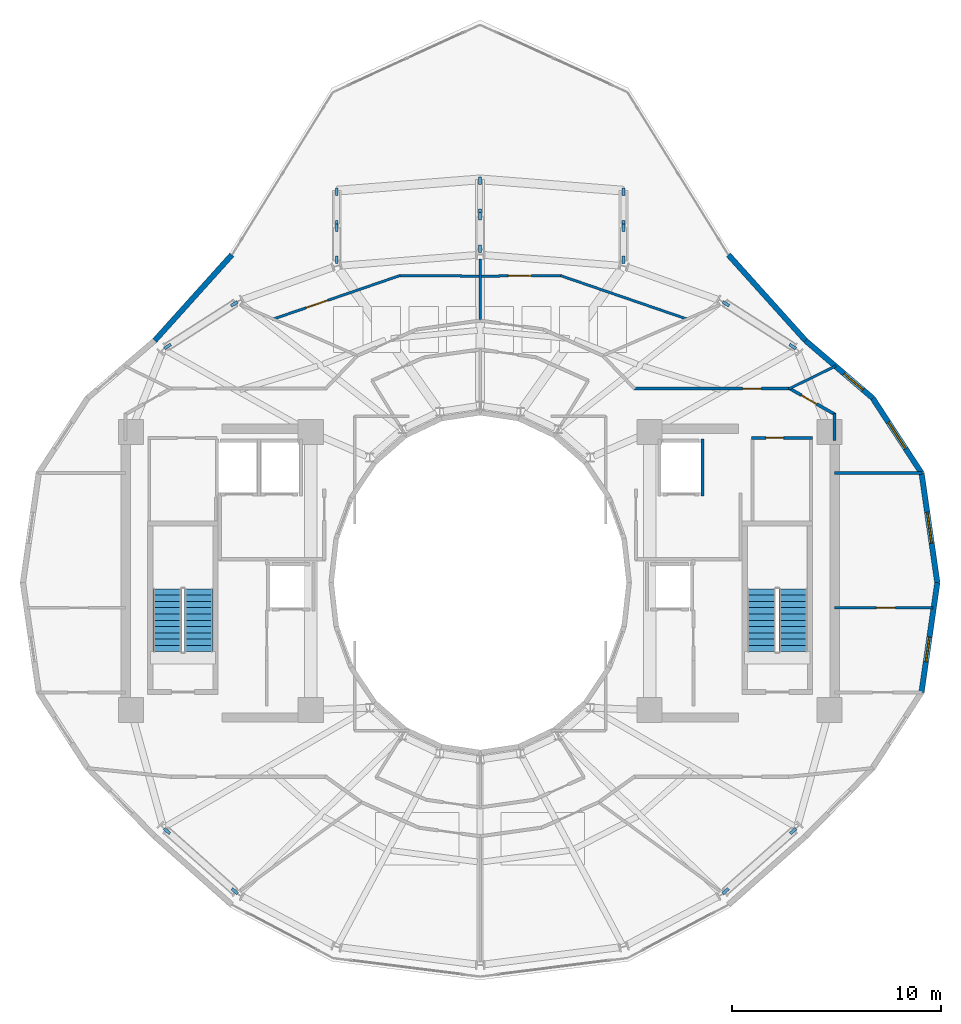
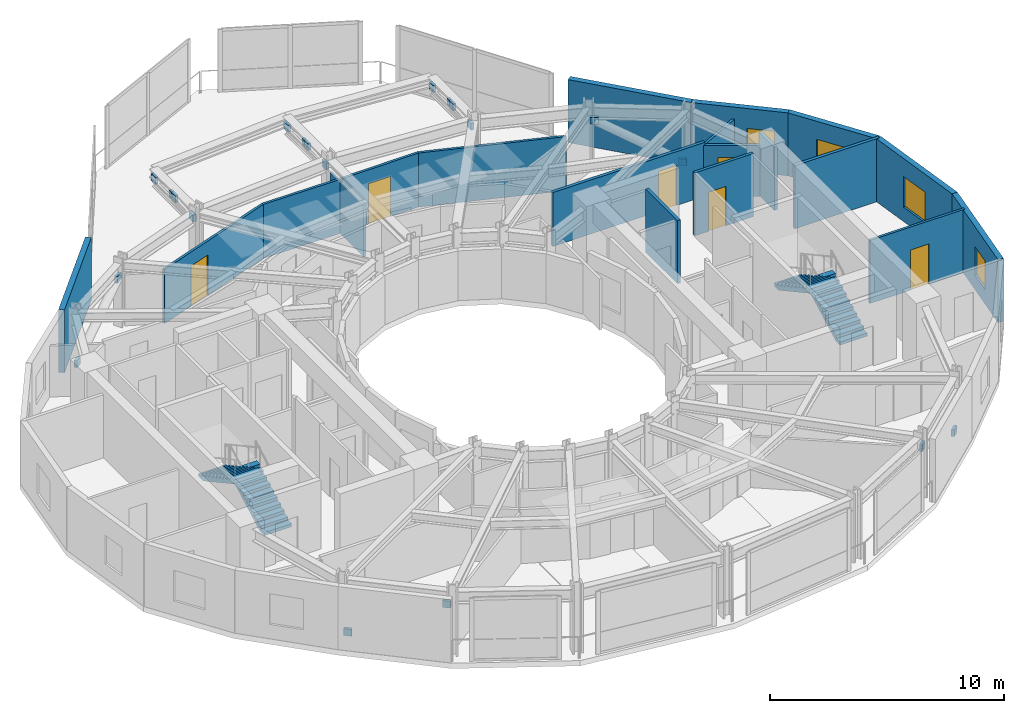
# One storey, part 16 of 19: 20 discrete accessories, 19 walls, 6 doors, 4 stair flights, 4 windows, 10 openings, 2 elements without a shape of their own.
"""IFC4 building model written with IfcOpenShell, lengths in metres."""

from ifc_helpers import new_model, si_unit, direction, frame, frame_2d, origin, origin_2d, place, context, subcontext, project, spatial, polyline, rectangle, outline, extrude, material, layer, layer_set, type_object, element, fill, aggregate, save


model = new_model("IFC4")

# Units and contexts
model_context = context("Model", 3, precision=1e-05, world=origin(), true_north=direction((0.0, 1.0)))
body_context = subcontext(model_context, "Body", "Model", "MODEL_VIEW")
ifc_project = project(units=[si_unit("LENGTHUNIT", "METRE"), si_unit("AREAUNIT", "SQUARE_METRE"), si_unit("VOLUMEUNIT", "CUBIC_METRE"), si_unit("PLANEANGLEUNIT", "RADIAN"), si_unit("MASSUNIT", "GRAM", prefix="KILO")], contexts=[model_context])

# Site, building, storey
site_placement = place(None, origin())
site = spatial("IfcSite", under=ifc_project, at=site_placement, CompositionType="ELEMENT")
building_placement = place(site_placement, origin())
building = spatial("IfcBuilding", under=site, at=building_placement, Name="Solvane Sanctuary Tower", CompositionType="ELEMENT")
storey_placement = place(building_placement, frame((0.0, 0.0, 242.39990234375)))
storey = spatial("IfcBuildingStorey", under=building, at=storey_placement, Name="L74", CompositionType="ELEMENT", Elevation=242.39990234375)

# Walls
ifc_material_1 = material(Name="Acoustic Gypsum Partition Board")
ifc_layer_1 = layer(ifc_material_1, 0.14990234375, Name="Acoustic Gypsum Partition Board")
ifc_layer_set_1 = layer_set([ifc_layer_1], Name="Acoustic Gypsum Partition Board")
wall_type_1 = type_object("IfcWallType", Name="Wall W-CORR-150", PredefinedType="PARTITIONING", material=ifc_layer_set_1)
wall_1_placement = place(storey_placement, frame((48.949951171875, 28.245361328125, 0.0), z_axis=(0.0, 0.0, 1.0), x_axis=(1.0, 0.0, 0.0)))
element("IfcWall", 1, at=wall_1_placement, inside=storey, type_object=wall_type_1, Name="L74 East Shoulder North Wall", PredefinedType="PARTITIONING", context=body_context, shape_type="SweptSolid", body=[
    extrude(rectangle(XDim=4.174560546875, YDim=0.14990234375, at=frame_2d((2.08740234375, 0.0))), origin(), (0.0, 0.0, 1.0), 3.295166015625),
])
wall_2_placement = place(storey_placement, frame((48.949951171875, 29.800048828125, 0.0), z_axis=(0.0, 0.0, 1.0), x_axis=(0.0, 1.0, 0.0)))
element("IfcWall", 2, at=wall_2_placement, inside=storey, type_object=wall_type_1, Name="L74 NE Corner Closer 1", PredefinedType="PARTITIONING", context=body_context, shape_type="SweptSolid", body=[
    extrude(rectangle(XDim=1.2900390625, YDim=0.14990234375, at=frame_2d((0.64501953125, 0.0))), origin(), (0.0, 0.0, 1.0), 3.295166015625),
])

# Wall, opening, door
wall_3_placement = place(storey_placement, frame((39.330078125, 32.280029296875, 0.0), z_axis=(0.0, 0.0, 1.0), x_axis=(1.0, 0.0, 0.0)))
wall_3 = element("IfcWall", 3, at=wall_3_placement, inside=storey, type_object=wall_type_1, Name="L74 NE Corner Corridor Wall", PredefinedType="PARTITIONING", context=body_context, shape_type="SweptSolid", body=[
    extrude(rectangle(XDim=7.52001953125, YDim=0.14990234375, at=frame_2d((3.760009765625, 0.0))), origin(), (0.0, 0.0, 1.0), 2.816162109375),
])
opening_1_placement = place(wall_3_placement, frame((5.219970703125, 0.0, 0.0)))
opening_1 = element("IfcOpeningElement", 4, at=opening_1_placement, cuts=wall_3, Name="Opening D-L74-17", PredefinedType="OPENING", context=body_context, shape_type="SweptSolid", body=[
    extrude(rectangle(XDim=0.89990234375, YDim=2.10009765625, at=frame_2d((0.449951171875, 1.050048828125))), frame((0.0, 0.0849609375, 0.0), z_axis=(0.0, -1.0, 0.0), x_axis=(1.0, 0.0, 0.0)), (0.0, 0.0, 1.0), 0.169921875),
])
ifc_material_2 = material(Name="Engineered Tropical Hardwood", Category="wood")
door_type_1 = type_object("IfcDoorType", Name="Door D-WET-900", OperationType="NOTDEFINED", PredefinedType="DOOR", material=ifc_material_2)
door_1_placement = place(opening_1_placement, origin())
door_1 = element("IfcDoor", 5, at=door_1_placement, inside=storey, type_object=door_type_1, Name="L74 NE Corner Salon Door", OperationType="SINGLE_SWING_RIGHT", OverallHeight=2.10009765625, OverallWidth=0.89990234375, PredefinedType="DOOR", context=body_context, shape_type="SweptSolid", body=[
    extrude(rectangle(XDim=0.89990234375, YDim=2.10009765625, at=frame_2d((0.449951171875, 1.050048828125))), frame((0.0, 0.02490234375, 0.0), z_axis=(0.0, -1.0, 0.0), x_axis=(1.0, 0.0, 0.0)), (0.0, 0.0, 1.0), 0.050048828125),
])
fill(opening_1, door_1)

wall_4_placement = place(storey_placement, frame((46.756591796875, 32.3046875, 0.0), z_axis=(0.0, 0.0, 1.0), x_axis=(0.867991349648, -0.496579315857, 0.0)))
wall_4 = element("IfcWall", 6, at=wall_4_placement, inside=storey, type_object=wall_type_1, Name="L74 NE Corner Wing Wall", PredefinedType="PARTITIONING", context=body_context, shape_type="SweptSolid", body=[
    extrude(rectangle(XDim=2.56689453125, YDim=0.14990234375, at=frame_2d((1.283447265625, 0.0))), origin(), (0.0, 0.0, 1.0), 2.66015625),
])
opening_2_placement = place(wall_4_placement, frame((0.68798828125, 0.0, 0.0)))
opening_2 = element("IfcOpeningElement", 7, at=opening_2_placement, cuts=wall_4, Name="Opening D-L74-18", PredefinedType="OPENING", context=body_context, shape_type="SweptSolid", body=[
    extrude(rectangle(XDim=0.85009765625, YDim=2.050048828125, at=frame_2d((0.425048828125, 1.02490234375))), frame((0.0, 0.0849609375, 0.0), z_axis=(0.0, -1.0, 0.0), x_axis=(1.0, 0.0, 0.0)), (0.0, 0.0, 1.0), 0.169921875),
])
ifc_material_3 = material(Name="Architectural Stainless Steel 316", Category="steel")
door_type_2 = type_object("IfcDoorType", Name="Door D-RISER", OperationType="NOTDEFINED", PredefinedType="DOOR", material=ifc_material_3)
door_2_placement = place(opening_2_placement, origin())
door_2 = element("IfcDoor", 8, at=door_2_placement, inside=storey, type_object=door_type_2, Name="L74 NE Corner Suite Door", OperationType="SINGLE_SWING_LEFT", OverallHeight=2.050048828125, OverallWidth=0.85009765625, PredefinedType="DOOR", context=body_context, shape_type="SweptSolid", body=[
    extrude(rectangle(XDim=0.85009765625, YDim=2.050048828125, at=frame_2d((0.425048828125, 1.02490234375))), frame((0.0, 0.02490234375, 0.0), z_axis=(0.0, -1.0, 0.0), x_axis=(1.0, 0.0, 0.0)), (0.0, 0.0, 1.0), 0.050048828125),
])
fill(opening_2, door_2)

# Wall, opening, window
ifc_material_4 = material(Name="Precast concrete C40/50", Category="concrete")
ifc_layer_2 = layer(ifc_material_4, 0.260009765625, Name="Precast concrete C40/50")
ifc_layer_set_2 = layer_set([ifc_layer_2], Name="Precast concrete C40/50")
wall_type_2 = type_object("IfcWallType", Name="Wall W-EXT-250", PredefinedType="STANDARD", material=ifc_layer_set_2)
wall_5_placement = place(storey_placement, frame((53.860107421875, 23.0, 0.0), z_axis=(0.0, 0.0, 1.0), x_axis=(-0.142712754019, 0.989764148593, 0.0)))
wall_5 = element("IfcWall", 9, at=wall_5_placement, inside=storey, type_object=wall_type_2, Name="L74 Ceramic-Printed Facade Wall 00", PredefinedType="STANDARD", context=body_context, shape_type="SweptSolid", body=[
    extrude(rectangle(XDim=5.29296875, YDim=0.260009765625, at=frame_2d((2.646484375, 0.0))), origin(), (0.0, 0.0, 1.0), 3.2900390625),
])
opening_3_placement = place(wall_5_placement, frame((1.896484375, 0.0, 0.75)))
opening_3 = element("IfcOpeningElement", 10, at=opening_3_placement, cuts=wall_5, Name="Opening WN-OPER-1500", PredefinedType="OPENING", context=body_context, shape_type="SweptSolid", body=[
    extrude(rectangle(XDim=1.5, YDim=1.60009765625, at=frame_2d((0.75, 0.800048828125))), frame((0.0, 0.139892578125, 0.0), z_axis=(0.0, -1.0, 0.0), x_axis=(1.0, 0.0, 0.0)), (0.0, 0.0, 1.0), 0.280029296875),
])
ifc_material_5 = material(Name="Dark Ceramic-Fritted Low-E Glass", Category="glass")
window_type_1 = type_object("IfcWindowType", Name="Window WN-OPER-1500", PartitioningType="SINGLE_PANEL", PredefinedType="WINDOW", material=ifc_material_5)
window_1_placement = place(opening_3_placement, origin())
window_1 = element("IfcWindow", 11, at=window_1_placement, inside=storey, type_object=window_type_1, Name="L74 Operable Facade Window 00", OverallHeight=1.60009765625, OverallWidth=1.5, PartitioningType="SINGLE_PANEL", PredefinedType="WINDOW", context=body_context, shape_type="SweptSolid", body=[
    extrude(rectangle(XDim=1.5, YDim=1.60009765625, at=frame_2d((0.75, 0.800048828125))), frame((0.0, 0.030029296875, 0.0), z_axis=(0.0, -1.0, 0.0), x_axis=(1.0, 0.0, 0.0)), (0.0, 0.0, 1.0), 0.06005859375),
])
fill(opening_3, window_1)

wall_6_placement = place(storey_placement, frame((53.104736328125, 28.23876953125, 0.0), z_axis=(0.0, 0.0, 1.0), x_axis=(-0.546606419826, 0.837389647539, 0.0)))
wall_6 = element("IfcWall", 12, at=wall_6_placement, inside=storey, type_object=wall_type_2, Name="L74 Ceramic-Printed Facade Wall 01", PredefinedType="STANDARD", context=body_context, shape_type="SweptSolid", body=[
    extrude(rectangle(XDim=4.287841796875, YDim=0.260009765625, at=frame_2d((2.14404296875, 0.0))), origin(), (0.0, 0.0, 1.0), 3.2900390625),
])
opening_4_placement = place(wall_6_placement, frame((1.393798828125, 0.0, 0.75)))
opening_4 = element("IfcOpeningElement", 13, at=opening_4_placement, cuts=wall_6, Name="Opening WN-OPER-1500", PredefinedType="OPENING", context=body_context, shape_type="SweptSolid", body=[
    extrude(rectangle(XDim=1.5, YDim=1.60009765625, at=frame_2d((0.75, 0.800048828125))), frame((0.0, 0.139892578125, 0.0), z_axis=(0.0, -1.0, 0.0), x_axis=(1.0, 0.0, 0.0)), (0.0, 0.0, 1.0), 0.280029296875),
])
window_2_placement = place(opening_4_placement, origin())
window_2 = element("IfcWindow", 14, at=window_2_placement, inside=storey, type_object=window_type_1, Name="L74 Operable Facade Window 01", OverallHeight=1.60009765625, OverallWidth=1.5, PartitioningType="SINGLE_PANEL", PredefinedType="WINDOW", context=body_context, shape_type="SweptSolid", body=[
    extrude(rectangle(XDim=1.5, YDim=1.60009765625, at=frame_2d((0.75, 0.800048828125))), frame((0.0, 0.030029296875, 0.0), z_axis=(0.0, -1.0, 0.0), x_axis=(1.0, 0.0, 0.0)), (0.0, 0.0, 1.0), 0.06005859375),
])
fill(opening_4, window_2)

wall_7_placement = place(storey_placement, frame((50.760986328125, 31.829345703125, 0.0), z_axis=(0.0, 0.0, 1.0), x_axis=(-0.759587504333, 0.650405122413, 0.0)))
wall_7 = element("IfcWall", 15, at=wall_7_placement, inside=storey, type_object=wall_type_2, Name="L74 Ceramic-Printed Facade Wall 02", PredefinedType="STANDARD", context=body_context, shape_type="SweptSolid", body=[
    extrude(rectangle(XDim=4.21728515625, YDim=0.260009765625, at=frame_2d((2.108642578125, 0.0))), origin(), (0.0, 0.0, 1.0), 3.2900390625),
])
opening_5_placement = place(wall_7_placement, frame((0.593994140625, 0.0, 0.75)))
opening_5 = element("IfcOpeningElement", 16, at=opening_5_placement, cuts=wall_7, Name="Opening WN-OPER-1200", PredefinedType="OPENING", context=body_context, shape_type="SweptSolid", body=[
    extrude(rectangle(XDim=1.199951171875, YDim=1.5, at=frame_2d((0.60009765625, 0.75))), frame((0.0, 0.139892578125, 0.0), z_axis=(0.0, -1.0, 0.0), x_axis=(1.0, 0.0, 0.0)), (0.0, 0.0, 1.0), 0.280029296875),
])
window_type_2 = type_object("IfcWindowType", Name="Window WN-OPER-1200", PartitioningType="SINGLE_PANEL", PredefinedType="WINDOW", material=ifc_material_5)
window_3_placement = place(opening_5_placement, origin())
window_3 = element("IfcWindow", 17, at=window_3_placement, inside=storey, type_object=window_type_2, Name="L74 Operable Facade Window 02", OverallHeight=1.5, OverallWidth=1.199951171875, PartitioningType="SINGLE_PANEL", PredefinedType="WINDOW", context=body_context, shape_type="SweptSolid", body=[
    extrude(rectangle(XDim=1.199951171875, YDim=1.5, at=frame_2d((0.60009765625, 0.75))), frame((0.0, 0.030029296875, 0.0), z_axis=(0.0, -1.0, 0.0), x_axis=(1.0, 0.0, 0.0)), (0.0, 0.0, 1.0), 0.06005859375),
])
fill(opening_5, window_3)

# Walls
for number, where, z_axis, x_axis, name in (
    (18, (47.5576171875, 34.572265625, 0.0), (0.0, 0.0, 1.0), (-0.668903560134, 0.743349196031, 0.0), "L74 Ceramic-Printed Facade Wall 03"),
    (19, (20.1298828125, 38.670166015625, 0.0), (0.0, 0.0, 1.0), (-0.668903560134, -0.743349196031, 0.0), "L74 Ceramic-Printed Facade Wall 08"),
):
    element("IfcWall", number, at=place(storey_placement, frame(where, z_axis=z_axis, x_axis=x_axis)), inside=storey, type_object=wall_type_2, Name=name, PredefinedType="STANDARD", context=body_context, shape_type="SweptSolid", body=[
        extrude(rectangle(XDim=5.5126953125, YDim=0.260009765625, at=frame_2d((2.75634765625, 0.0))), origin(), (0.0, 0.0, 1.0), 3.2900390625),
    ])

# Wall, opening, window
wall_8_placement = place(storey_placement, frame((53.104736328125, 17.76123046875, 0.0), z_axis=(0.0, 0.0, 1.0), x_axis=(0.142712754019, 0.989764148593, 0.0)))
wall_8 = element("IfcWall", 20, at=wall_8_placement, inside=storey, type_object=wall_type_2, Name="L74 Ceramic-Printed Facade Wall 23", PredefinedType="STANDARD", context=body_context, shape_type="SweptSolid", body=[
    extrude(rectangle(XDim=5.29296875, YDim=0.260009765625, at=frame_2d((2.646484375, 0.0))), origin(), (0.0, 0.0, 1.0), 3.2900390625),
])
opening_6_placement = place(wall_8_placement, frame((1.46533203125, 0.0, 0.75)))
opening_6 = element("IfcOpeningElement", 21, at=opening_6_placement, cuts=wall_8, Name="Opening WN-OPER-1200", PredefinedType="OPENING", context=body_context, shape_type="SweptSolid", body=[
    extrude(rectangle(XDim=1.199951171875, YDim=1.5, at=frame_2d((0.60009765625, 0.75))), frame((0.0, 0.139892578125, 0.0), z_axis=(0.0, -1.0, 0.0), x_axis=(1.0, 0.0, 0.0)), (0.0, 0.0, 1.0), 0.280029296875),
])
window_4_placement = place(opening_6_placement, origin())
window_4 = element("IfcWindow", 22, at=window_4_placement, inside=storey, type_object=window_type_2, Name="L74 Operable Facade Window 23", OverallHeight=1.5, OverallWidth=1.199951171875, PartitioningType="SINGLE_PANEL", PredefinedType="WINDOW", context=body_context, shape_type="SweptSolid", body=[
    extrude(rectangle(XDim=1.199951171875, YDim=1.5, at=frame_2d((0.60009765625, 0.75))), frame((0.0, 0.030029296875, 0.0), z_axis=(0.0, -1.0, 0.0), x_axis=(1.0, 0.0, 0.0)), (0.0, 0.0, 1.0), 0.06005859375),
])
fill(opening_6, window_4)

# Wall, opening, door
ifc_layer_3 = layer(ifc_material_1, 0.1201171875, Name="Acoustic Gypsum Partition Board")
ifc_layer_set_3 = layer_set([ifc_layer_3], Name="Acoustic Gypsum Partition Board")
wall_type_3 = type_object("IfcWallType", Name="Wall W-MOV-100", PredefinedType="MOVABLE", material=ifc_layer_set_3)
wall_9_placement = place(storey_placement, frame((48.949951171875, 21.800048828125, 0.0), z_axis=(0.0, 0.0, 1.0), x_axis=(1.0, 0.0, 0.0)))
wall_9 = element("IfcWall", 23, at=wall_9_placement, inside=storey, type_object=wall_type_3, Name="L74 East Suite Partition", PredefinedType="MOVABLE", context=body_context, shape_type="SweptSolid", body=[
    extrude(rectangle(XDim=4.697265625, YDim=0.1201171875, at=frame_2d((2.3486328125, 0.0))), origin(), (0.0, 0.0, 1.0), 3.295166015625),
])
opening_7_placement = place(wall_9_placement, frame((2.0, 0.0, 0.0)))
opening_7 = element("IfcOpeningElement", 24, at=opening_7_placement, cuts=wall_9, Name="Opening D-L74-14", PredefinedType="OPENING", context=body_context, shape_type="SweptSolid", body=[
    extrude(rectangle(XDim=0.89990234375, YDim=2.10009765625, at=frame_2d((0.449951171875, 1.050048828125))), frame((0.0, 0.070068359375, 0.0), z_axis=(0.0, -1.0, 0.0), x_axis=(1.0, 0.0, 0.0)), (0.0, 0.0, 1.0), 0.14013671875),
])
door_3_placement = place(opening_7_placement, origin())
door_3 = element("IfcDoor", 25, at=door_3_placement, inside=storey, type_object=door_type_1, Name="L74 East Suite Internal Door", OperationType="SINGLE_SWING_LEFT", OverallHeight=2.10009765625, OverallWidth=0.89990234375, PredefinedType="DOOR", context=body_context, shape_type="SweptSolid", body=[
    extrude(rectangle(XDim=0.89990234375, YDim=2.10009765625, at=frame_2d((0.449951171875, 1.050048828125))), frame((0.0, 0.02490234375, 0.0), z_axis=(0.0, -1.0, 0.0), x_axis=(1.0, 0.0, 0.0)), (0.0, 0.0, 1.0), 0.050048828125),
])
fill(opening_7, door_3)

# Walls
wall_10_placement = place(storey_placement, frame((46.755126953125, 32.258056640625, 0.0), z_axis=(0.0, 0.0, 1.0), x_axis=(0.898152129572, 0.439684832745, 0.0)))
element("IfcWall", 26, at=wall_10_placement, inside=storey, type_object=wall_type_3, Name="L74 NE Corner Suite Partition", PredefinedType="MOVABLE", context=body_context, shape_type="SweptSolid", body=[
    extrude(rectangle(XDim=2.5087890625, YDim=0.1201171875, at=frame_2d((1.25439453125, 0.0))), origin(), (0.0, 0.0, 1.0), 2.66015625),
])
wall_11_placement = place(storey_placement, frame((32.0, 35.5849609375, 0.0), z_axis=(0.0, 0.0, 1.0), x_axis=(0.0, 1.0, 0.0)))
element("IfcWall", 27, at=wall_11_placement, inside=storey, type_object=wall_type_3, Name="L74 Sky Hall Radial Partition 090", PredefinedType="MOVABLE", context=body_context, shape_type="SweptSolid", body=[
    extrude(rectangle(XDim=2.89501953125, YDim=0.1201171875, at=frame_2d((1.447509765625, 0.0))), origin(), (0.0, 0.0, 1.0), 2.66015625),
])
wall_12_placement = place(storey_placement, frame((41.935302734375, 35.585693359375, 0.0), z_axis=(0.0, 0.0, 1.0), x_axis=(-0.945789589552, 0.324780005995, 0.0)))
element("IfcWall", 28, at=wall_12_placement, inside=storey, type_object=wall_type_3, Name="L74 SDSPL-1 Partition", PredefinedType="MOVABLE", context=body_context, shape_type="SweptSolid", body=[
    extrude(rectangle(XDim=6.464599609375, YDim=0.1201171875, at=frame_2d((3.232421875, 0.0))), origin(), (0.0, 0.0, 1.0), 2.822998046875),
])

# Wall, opening, door
wall_13_placement = place(storey_placement, frame((35.840576171875, 37.68212890625, 0.0), z_axis=(0.0, 0.0, 1.0), x_axis=(-0.999971175398, -0.007592652624, 0.0)))
wall_13 = element("IfcWall", 29, at=wall_13_placement, inside=storey, type_object=wall_type_3, Name="L74 SDSPL-1 Partition", PredefinedType="MOVABLE", context=body_context, shape_type="SweptSolid", body=[
    extrude(rectangle(XDim=3.890625, YDim=0.1201171875, at=frame_2d((1.9453125, 0.0))), origin(), (0.0, 0.0, 1.0), 2.822998046875),
])
opening_8_placement = place(wall_13_placement, frame((1.395263671875, 0.0, 0.0)))
opening_8 = element("IfcOpeningElement", 30, at=opening_8_placement, cuts=wall_13, Name="Opening D-L74-27", PredefinedType="OPENING", context=body_context, shape_type="SweptSolid", body=[
    extrude(rectangle(XDim=1.10009765625, YDim=2.10009765625, at=frame_2d((0.550048828125, 1.050048828125))), frame((0.0, 0.070068359375, 0.0), z_axis=(0.0, -1.0, 0.0), x_axis=(1.0, 0.0, 0.0)), (0.0, 0.0, 1.0), 0.14013671875),
])
door_type_3 = type_object("IfcDoorType", Name="Door D-FFL", OperationType="NOTDEFINED", PredefinedType="DOOR", material=ifc_material_3)
door_4_placement = place(opening_8_placement, origin())
door_4 = element("IfcDoor", 31, at=door_4_placement, inside=storey, type_object=door_type_3, Name="L74 SDSPL-1 Door", OperationType="SINGLE_SWING_RIGHT", OverallHeight=2.10009765625, OverallWidth=1.10009765625, PredefinedType="DOOR", context=body_context, shape_type="SweptSolid", body=[
    extrude(rectangle(XDim=1.10009765625, YDim=2.10009765625, at=frame_2d((0.550048828125, 1.050048828125))), frame((0.0, 0.02490234375, 0.0), z_axis=(0.0, -1.0, 0.0), x_axis=(1.0, 0.0, 0.0)), (0.0, 0.0, 1.0), 0.050048828125),
])
fill(opening_8, door_4)

# Wall
wall_14_placement = place(storey_placement, frame((32.050048828125, 37.652587890625, 0.0), z_axis=(0.0, 0.0, 1.0), x_axis=(-0.999971175398, 0.007592652624, 0.0)))
element("IfcWall", 32, at=wall_14_placement, inside=storey, type_object=wall_type_3, Name="L74 SDSPL-2 Partition", PredefinedType="MOVABLE", context=body_context, shape_type="SweptSolid", body=[
    extrude(rectangle(XDim=3.890625, YDim=0.1201171875, at=frame_2d((1.9453125, 0.0))), origin(), (0.0, 0.0, 1.0), 2.822998046875),
])

# Wall, opening, door
wall_15_placement = place(storey_placement, frame((28.178955078125, 37.685302734375, 0.0), z_axis=(0.0, 0.0, 1.0), x_axis=(-0.945789589552, -0.324780005995, 0.0)))
wall_15 = element("IfcWall", 33, at=wall_15_placement, inside=storey, type_object=wall_type_3, Name="L74 SDSPL-2 Partition", PredefinedType="MOVABLE", context=body_context, shape_type="SweptSolid", body=[
    extrude(rectangle(XDim=6.464599609375, YDim=0.1201171875, at=frame_2d((3.232421875, 0.0))), origin(), (0.0, 0.0, 1.0), 2.822998046875),
])
opening_9_placement = place(wall_15_placement, frame((3.654296875, 0.0, 0.0)))
opening_9 = element("IfcOpeningElement", 34, at=opening_9_placement, cuts=wall_15, Name="Opening D-L74-28", PredefinedType="OPENING", context=body_context, shape_type="SweptSolid", body=[
    extrude(rectangle(XDim=1.10009765625, YDim=2.10009765625, at=frame_2d((0.550048828125, 1.050048828125))), frame((0.0, 0.070068359375, 0.0), z_axis=(0.0, -1.0, 0.0), x_axis=(1.0, 0.0, 0.0)), (0.0, 0.0, 1.0), 0.14013671875),
])
door_5_placement = place(opening_9_placement, origin())
door_5 = element("IfcDoor", 35, at=door_5_placement, inside=storey, type_object=door_type_3, Name="L74 SDSPL-2 Door", OperationType="SINGLE_SWING_LEFT", OverallHeight=2.10009765625, OverallWidth=1.10009765625, PredefinedType="DOOR", context=body_context, shape_type="SweptSolid", body=[
    extrude(rectangle(XDim=1.10009765625, YDim=2.10009765625, at=frame_2d((0.550048828125, 1.050048828125))), frame((0.0, 0.02490234375, 0.0), z_axis=(0.0, -1.0, 0.0), x_axis=(1.0, 0.0, 0.0)), (0.0, 0.0, 1.0), 0.050048828125),
])
fill(opening_9, door_5)

# Wall
ifc_material_6 = material(Name="Concrete C50/60", Category="concrete")
ifc_layer_4 = layer(ifc_material_6, 0.14990234375, Name="Concrete C50/60")
ifc_layer_set_4 = layer_set([ifc_layer_4], Name="Concrete C50/60")
wall_type_4 = type_object("IfcWallType", Name="Wall W-SHAFT-150", PredefinedType="SOLIDWALL", material=ifc_layer_set_4)
wall_16_placement = place(storey_placement, frame((42.6298828125, 27.139892578125, 0.0), z_axis=(0.0, 0.0, 1.0), x_axis=(0.0, 1.0, 0.0)))
element("IfcWall", 36, at=wall_16_placement, inside=storey, type_object=wall_type_4, Name="L74 FFL-2 Lift Shaft Wall S2", PredefinedType="SOLIDWALL", context=body_context, shape_type="SweptSolid", body=[
    extrude(rectangle(XDim=2.72021484375, YDim=0.14990234375, at=frame_2d((1.360107421875, 0.0))), origin(), (0.0, 0.0, 1.0), 3.295166015625),
])

# Wall, opening, door
ifc_layer_5 = layer(ifc_material_1, 0.139892578125, Name="Acoustic Gypsum Partition Board")
ifc_layer_set_5 = layer_set([ifc_layer_5], Name="Acoustic Gypsum Partition Board")
wall_type_5 = type_object("IfcWallType", Name="Wall W-WET-140", PredefinedType="PLUMBINGWALL", material=ifc_layer_set_5)
wall_17_placement = place(storey_placement, frame((44.97998046875, 29.919921875, 0.0), z_axis=(0.0, 0.0, 1.0), x_axis=(1.0, 0.0, 0.0)))
wall_17 = element("IfcWall", 37, at=wall_17_placement, inside=storey, type_object=wall_type_5, Name="L74 Core Service Front Wall KE0", PredefinedType="PLUMBINGWALL", context=body_context, shape_type="SweptSolid", body=[
    extrude(rectangle(XDim=2.89990234375, YDim=0.139892578125, at=frame_2d((1.449951171875, 0.0))), origin(), (0.0, 0.0, 1.0), 3.295166015625),
])
opening_10_placement = place(wall_17_placement, frame((0.685546875, 0.0, 0.0)))
opening_10 = element("IfcOpeningElement", 38, at=opening_10_placement, cuts=wall_17, Name="Opening D-L74-08", PredefinedType="OPENING", context=body_context, shape_type="SweptSolid", body=[
    extrude(rectangle(XDim=0.85009765625, YDim=2.050048828125, at=frame_2d((0.425048828125, 1.02490234375))), frame((0.0, 0.079833984375, 0.0), z_axis=(0.0, -1.0, 0.0), x_axis=(1.0, 0.0, 0.0)), (0.0, 0.0, 1.0), 0.159912109375),
])
door_6_placement = place(opening_10_placement, origin())
door_6 = element("IfcDoor", 39, at=door_6_placement, inside=storey, type_object=door_type_2, Name="L74 Core Service Room Door KE0-1", OperationType="SINGLE_SWING_LEFT", OverallHeight=2.050048828125, OverallWidth=0.85009765625, PredefinedType="DOOR", context=body_context, shape_type="SweptSolid", body=[
    extrude(rectangle(XDim=0.85009765625, YDim=2.050048828125, at=frame_2d((0.425048828125, 1.02490234375))), frame((0.0, 0.02490234375, 0.0), z_axis=(0.0, -1.0, 0.0), x_axis=(1.0, 0.0, 0.0)), (0.0, 0.0, 1.0), 0.050048828125),
])
fill(opening_10, door_6)

# Stair, stair flights
ifc_material_7 = material(Name="Concrete C45/55", Category="concrete")
stair_type = type_object("IfcStairType", Name="Stair ST-TOW", PredefinedType="HALF_TURN_STAIR", material=ifc_material_7)
stair_1_placement = place(storey_placement, origin())
stair_1 = element("IfcStair", 40, at=stair_1_placement, inside=storey, type_object=stair_type, Name="L74 Exit Stair ST-1 West Core", PredefinedType="HALF_TURN_STAIR")
stair_flight_type = type_object("IfcStairFlightType", Name="StairFlight SF-TOW", PredefinedType="STRAIGHT", material=ifc_material_7)
stair_flight_1_placement = place(storey_placement, frame((18.544921875, 19.699951171875, 0.0), z_axis=(0.0, 0.0, 1.0), x_axis=(0.0, 1.0, 0.0)))
stair_flight_1 = element("IfcStairFlight", 41, at=stair_flight_1_placement, type_object=stair_flight_type, Name="ST-1 flight 1", NumberOfRisers=11, NumberOfTreads=10, PredefinedType="STRAIGHT", RiserHeight=0.163636364, TreadLength=0.3, context=body_context, shape_type="SweptSolid", body=[
    extrude(outline(polyline([(0.0, 0.0), (0.0, 0.16357421875), (0.300048828125, 0.16357421875), (0.300048828125, 0.327392578125), (0.60009765625, 0.327392578125), (0.60009765625, 0.490966796875), (0.89990234375, 0.490966796875), (0.89990234375, 0.654541015625), (1.199951171875, 0.654541015625), (1.199951171875, 0.818115234375), (1.5, 0.818115234375), (1.5, 0.98193359375), (1.800048828125, 0.98193359375), (1.800048828125, 1.1455078125), (2.10009765625, 1.1455078125), (2.10009765625, 1.30908203125), (2.39990234375, 1.30908203125), (2.39990234375, 1.47265625), (2.699951171875, 1.47265625), (2.699951171875, 1.636474609375), (3.0, 1.636474609375), (3.0, 1.800048828125), (3.0, 1.431396484375), (0.375732421875, 0.0), (0.0, 0.0)])), frame((0.0, 0.675048828125, 0.0), z_axis=(0.0, -1.0, 0.0), x_axis=(1.0, 0.0, 0.0)), (0.0, 0.0, 1.0), 1.35009765625),
])
stair_flight_2_placement = place(storey_placement, frame((17.034912109375, 22.699951171875, 1.800048828125), z_axis=(0.0, 0.0, 1.0), x_axis=(0.0, -1.0, 0.0)))
stair_flight_2 = element("IfcStairFlight", 42, at=stair_flight_2_placement, type_object=stair_flight_type, Name="ST-1 flight 2", NumberOfRisers=11, NumberOfTreads=10, PredefinedType="STRAIGHT", RiserHeight=0.163636364, TreadLength=0.3, context=body_context, shape_type="SweptSolid", body=[
    extrude(outline(polyline([(0.0, 0.0), (0.0, 0.16357421875), (0.300048828125, 0.16357421875), (0.300048828125, 0.327392578125), (0.60009765625, 0.327392578125), (0.60009765625, 0.490966796875), (0.89990234375, 0.490966796875), (0.89990234375, 0.654541015625), (1.199951171875, 0.654541015625), (1.199951171875, 0.818115234375), (1.5, 0.818115234375), (1.5, 0.98193359375), (1.800048828125, 0.98193359375), (1.800048828125, 1.1455078125), (2.10009765625, 1.1455078125), (2.10009765625, 1.30908203125), (2.39990234375, 1.30908203125), (2.39990234375, 1.47265625), (2.699951171875, 1.47265625), (2.699951171875, 1.636474609375), (3.0, 1.636474609375), (3.0, 1.800048828125), (3.0, 1.431396484375), (0.375732421875, 0.0), (0.0, 0.0)])), frame((0.0, 0.675048828125, 0.0), z_axis=(0.0, -1.0, 0.0), x_axis=(1.0, 0.0, 0.0)), (0.0, 0.0, 1.0), 1.35009765625),
])
aggregate(stair_1, [stair_flight_1, stair_flight_2])

stair_2_placement = place(storey_placement, origin())
stair_2 = element("IfcStair", 43, at=stair_2_placement, inside=storey, type_object=stair_type, Name="L74 Exit Stair ST-2 East Core", PredefinedType="HALF_TURN_STAIR")
stair_flight_3_placement = place(storey_placement, frame((46.965087890625, 19.699951171875, 0.0), z_axis=(0.0, 0.0, 1.0), x_axis=(0.0, 1.0, 0.0)))
stair_flight_3 = element("IfcStairFlight", 44, at=stair_flight_3_placement, type_object=stair_flight_type, Name="ST-2 flight 1", NumberOfRisers=11, NumberOfTreads=10, PredefinedType="STRAIGHT", RiserHeight=0.163636364, TreadLength=0.3, context=body_context, shape_type="SweptSolid", body=[
    extrude(outline(polyline([(0.0, 0.0), (0.0, 0.16357421875), (0.300048828125, 0.16357421875), (0.300048828125, 0.327392578125), (0.60009765625, 0.327392578125), (0.60009765625, 0.490966796875), (0.89990234375, 0.490966796875), (0.89990234375, 0.654541015625), (1.199951171875, 0.654541015625), (1.199951171875, 0.818115234375), (1.5, 0.818115234375), (1.5, 0.98193359375), (1.800048828125, 0.98193359375), (1.800048828125, 1.1455078125), (2.10009765625, 1.1455078125), (2.10009765625, 1.30908203125), (2.39990234375, 1.30908203125), (2.39990234375, 1.47265625), (2.699951171875, 1.47265625), (2.699951171875, 1.636474609375), (3.0, 1.636474609375), (3.0, 1.800048828125), (3.0, 1.431396484375), (0.375732421875, 0.0), (0.0, 0.0)])), frame((0.0, 0.675048828125, 0.0), z_axis=(0.0, -1.0, 0.0), x_axis=(1.0, 0.0, 0.0)), (0.0, 0.0, 1.0), 1.35009765625),
])
stair_flight_4_placement = place(storey_placement, frame((45.455078125, 22.699951171875, 1.800048828125), z_axis=(0.0, 0.0, 1.0), x_axis=(0.0, -1.0, 0.0)))
stair_flight_4 = element("IfcStairFlight", 45, at=stair_flight_4_placement, type_object=stair_flight_type, Name="ST-2 flight 2", NumberOfRisers=11, NumberOfTreads=10, PredefinedType="STRAIGHT", RiserHeight=0.163636364, TreadLength=0.3, context=body_context, shape_type="SweptSolid", body=[
    extrude(outline(polyline([(0.0, 0.0), (0.0, 0.16357421875), (0.300048828125, 0.16357421875), (0.300048828125, 0.327392578125), (0.60009765625, 0.327392578125), (0.60009765625, 0.490966796875), (0.89990234375, 0.490966796875), (0.89990234375, 0.654541015625), (1.199951171875, 0.654541015625), (1.199951171875, 0.818115234375), (1.5, 0.818115234375), (1.5, 0.98193359375), (1.800048828125, 0.98193359375), (1.800048828125, 1.1455078125), (2.10009765625, 1.1455078125), (2.10009765625, 1.30908203125), (2.39990234375, 1.30908203125), (2.39990234375, 1.47265625), (2.699951171875, 1.47265625), (2.699951171875, 1.636474609375), (3.0, 1.636474609375), (3.0, 1.800048828125), (3.0, 1.431396484375), (0.375732421875, 0.0), (0.0, 0.0)])), frame((0.0, 0.675048828125, 0.0), z_axis=(0.0, -1.0, 0.0), x_axis=(1.0, 0.0, 0.0)), (0.0, 0.0, 1.0), 1.35009765625),
])
aggregate(stair_2, [stair_flight_3, stair_flight_4])

# Discrete accessories
ifc_material_8 = material(Name="Steel ASTM A572 Grade 50", Category="steel")
ifc_layer_6 = layer(ifc_material_8, 0.360107421875, Name="Steel ASTM A572 Grade 50")
ifc_layer_set_6 = layer_set([ifc_layer_6], Name="Steel ASTM A572 Grade 50")
discrete_accessory_type = type_object("IfcDiscreteAccessoryType", Name="Accessory ACC-GUSSET-BRK", PredefinedType="BRACKET", material=ifc_layer_set_6)
for number, where, z_axis, x_axis, name in (
    (46, (46.940673828125, 34.2900390625, 0.33154296875), (0.0, 0.0, 1.0), (-0.842264279204, 0.539064823539, 0.0), "L74 Perimeter Braced-Tube Diagonal NE End Gusset Bracket A"),
    (47, (43.7548828125, 36.329345703125, 2.38134765625), (0.0, 0.0, 1.0), (-0.842264279204, 0.539064823539, 0.0), "L74 Perimeter Braced-Tube Diagonal NE End Gusset Bracket B"),
    (48, (17.059326171875, 34.2900390625, 0.33154296875), (0.0, 0.0, 1.0), (0.842264279204, 0.539064823539, 0.0), "L74 Perimeter Braced-Tube Diagonal NW End Gusset Bracket A"),
    (49, (20.2451171875, 36.329345703125, 2.38134765625), (0.0, 0.0, 1.0), (0.842264279204, 0.539064823539, 0.0), "L74 Perimeter Braced-Tube Diagonal NW End Gusset Bracket B"),
    (50, (17.032470703125, 11.121337890625, 0.31396484375), (0.0, 0.0, 1.0), (0.747218420912, -0.664578536706, 0.0), "L74 Perimeter Braced-Tube Diagonal SW End Gusset Bracket A"),
    (51, (20.26416015625, 8.2470703125, 2.3935546875), (0.0, 0.0, 1.0), (0.747218420912, -0.664578536706, 0.0), "L74 Perimeter Braced-Tube Diagonal SW End Gusset Bracket B"),
    (52, (46.967529296875, 11.121337890625, 0.31396484375), (0.0, 0.0, 1.0), (-0.747218420912, -0.664578536706, 0.0), "L74 Perimeter Braced-Tube Diagonal SE End Gusset Bracket A"),
    (53, (43.73583984375, 8.2470703125, 2.3935546875), (0.0, 0.0, 1.0), (-0.747218420912, -0.664578536706, 0.0), "L74 Perimeter Braced-Tube Diagonal SE End Gusset Bracket B"),
    (54, (25.143798828125, 38.4267578125, 2.58837890625), (0.0, 0.0, 1.0), (0.0, 1.0, 0.0), "L74 Sky-Dining Truss Diagonal C05-P1 End Gusset Bracket A"),
    (55, (25.143798828125, 39.967529296875, 2.6689453125), (0.0, 0.0, 1.0), (0.0, 1.0, 0.0), "L74 Sky-Dining Truss Diagonal C05-P1 End Gusset Bracket B"),
    (56, (25.143798828125, 40.137451171875, 2.6689453125), (0.0, 0.0, 1.0), (0.0, 1.0, 0.0), "L74 Sky-Dining Truss Web Post C05-P1 End Gusset Bracket A"),
    (57, (25.143798828125, 41.67822265625, 2.58837890625), (0.0, 0.0, 1.0), (0.0, 1.0, 0.0), "L74 Sky-Dining Truss Web Post C05-P1 End Gusset Bracket B"),
    (58, (32.0, 38.9609375, 2.58837890625), (0.0, 0.0, 1.0), (0.0, 1.0, 0.0), "L74 Sky-Dining Truss Diagonal C04-P1 End Gusset Bracket A"),
    (59, (32.0, 40.505615234375, 2.6689453125), (0.0, 0.0, 1.0), (0.0, 1.0, 0.0), "L74 Sky-Dining Truss Diagonal C04-P1 End Gusset Bracket B"),
    (60, (32.0, 40.67529296875, 2.6689453125), (0.0, 0.0, 1.0), (0.0, 1.0, 0.0), "L74 Sky-Dining Truss Web Post C04-P1 End Gusset Bracket A"),
    (61, (32.0, 42.219970703125, 2.58837890625), (0.0, 0.0, 1.0), (0.0, 1.0, 0.0), "L74 Sky-Dining Truss Web Post C04-P1 End Gusset Bracket B"),
    (62, (38.856201171875, 38.4267578125, 2.58837890625), (0.0, 0.0, 1.0), (0.0, 1.0, 0.0), "L74 Sky-Dining Truss Diagonal C03-P1 End Gusset Bracket A"),
    (63, (38.856201171875, 39.967529296875, 2.6689453125), (0.0, 0.0, 1.0), (0.0, 1.0, 0.0), "L74 Sky-Dining Truss Diagonal C03-P1 End Gusset Bracket B"),
    (64, (38.856201171875, 40.137451171875, 2.6689453125), (0.0, 0.0, 1.0), (0.0, 1.0, 0.0), "L74 Sky-Dining Truss Web Post C03-P1 End Gusset Bracket A"),
    (65, (38.856201171875, 41.67822265625, 2.58837890625), (0.0, 0.0, 1.0), (0.0, 1.0, 0.0), "L74 Sky-Dining Truss Web Post C03-P1 End Gusset Bracket B"),
):
    element("IfcDiscreteAccessory", number, at=place(storey_placement, frame(where, z_axis=z_axis, x_axis=x_axis)), inside=storey, type_object=discrete_accessory_type, Name=name, PredefinedType="BRACKET", context=body_context, shape_type="SweptSolid", body=[
        extrude(rectangle(XDim=0.360107421875, YDim=0.139892578125, at=origin_2d()), origin(), (0.0, 0.0, 1.0), 0.360107421875),
    ])

save(model, "model.ifc")
